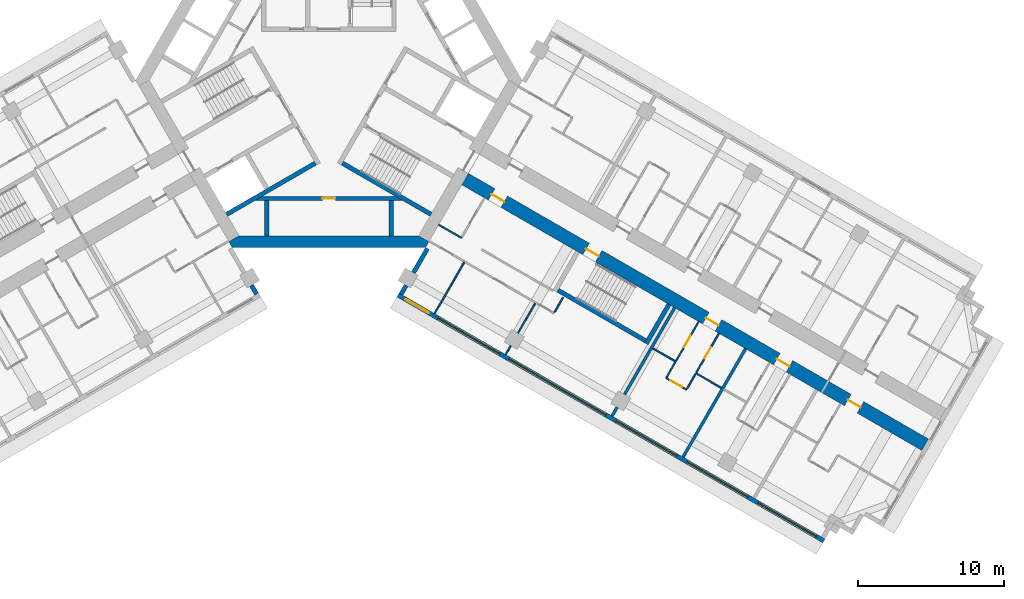
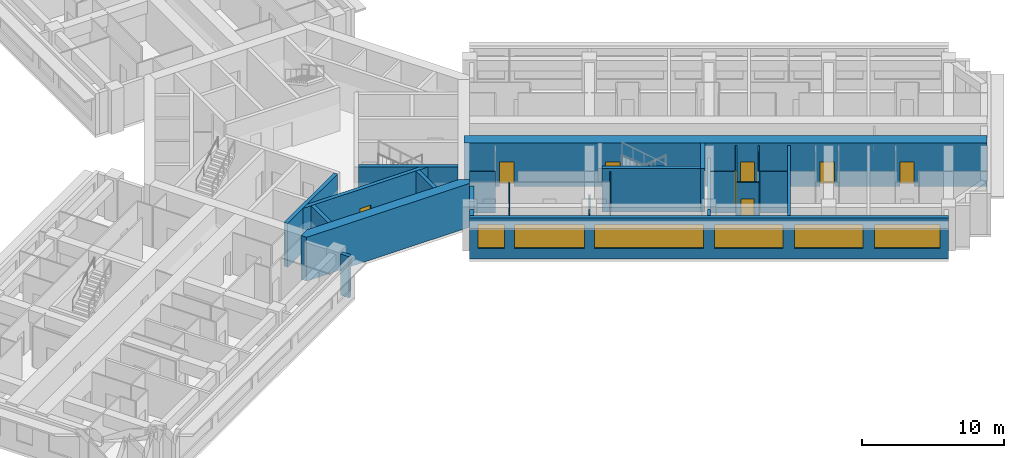
# One storey, part 5 of 13: 28 walls, 9 doors, 6 windows, 15 openings.
"""IFC4 building model written with IfcOpenShell, lengths in metres."""

from ifc_helpers import new_model, si_unit, direction, frame, frame_2d, origin, place, context, subcontext, project, spatial, polyline, rectangle, outline, extrude, material, layer, layer_set, type_object, element, fill, save


model = new_model("IFC4")

# Units and contexts
model_context = context("Model", 3, precision=1e-05, world=origin(), true_north=direction((0.0, 1.0)))
body_context = subcontext(model_context, "Body", "Model", "MODEL_VIEW")
ifc_project = project(units=[si_unit("LENGTHUNIT", "METRE"), si_unit("AREAUNIT", "SQUARE_METRE"), si_unit("VOLUMEUNIT", "CUBIC_METRE"), si_unit("PLANEANGLEUNIT", "RADIAN"), si_unit("MASSUNIT", "GRAM", prefix="KILO")], contexts=[model_context])

# Site, building, storey
site_placement = place(None, origin())
site = spatial("IfcSite", under=ifc_project, at=site_placement, CompositionType="ELEMENT")
building_placement = place(site_placement, origin())
building = spatial("IfcBuilding", under=site, at=building_placement, Name="Impinga Residences", CompositionType="ELEMENT")
storey_placement = place(building_placement, frame((0.0, 0.0, 139.75)))
storey = spatial("IfcBuildingStorey", under=building, at=storey_placement, Name="L34", CompositionType="ELEMENT", Elevation=139.75)

# Wall, openings, doors
ifc_material_1 = material(Name="Concrete C60/75", Category="concrete")
ifc_layer_1 = layer(ifc_material_1, 0.89990234375)
ifc_layer_set_1 = layer_set([ifc_layer_1], Name="Concrete C60/75")
wall_type_1 = type_object("IfcWallType", Name="BW2 corridor buttress wall, L24 to L44 900", PredefinedType="SHEAR", material=ifc_layer_set_1)
wall_1_placement = place(storey_placement, frame((8.95361328125, -6.554931640625, 0.0), z_axis=(0.0, 0.0, 1.0), x_axis=(0.866024733898, -0.500001160275, 0.0)))
wall_1 = element("IfcWall", 1, at=wall_1_placement, inside=storey, type_object=wall_type_1, Name="Corridor wall BW2 ED L34", PredefinedType="SHEAR", context=body_context, shape_type="SweptSolid", body=[
    extrude(rectangle(XDim=36.7001953125, YDim=0.89990234375, at=frame_2d((18.35009765625, 0.0))), origin(), (0.0, 0.0, 1.0), 3.75),
])
opening_1_placement = place(wall_1_placement, frame((9.949951171875, 0.0, 0.0)))
opening_1 = element("IfcOpeningElement", 2, at=opening_1_placement, cuts=wall_1, Name="Opening D5", PredefinedType="OPENING", context=body_context, shape_type="SweptSolid", body=[
    extrude(rectangle(XDim=1.0, YDim=2.10009765625, at=frame_2d((0.5, 1.050048828125))), frame((0.0, 0.4599609375, 0.0), z_axis=(0.0, -1.0, 0.0), x_axis=(1.0, 0.0, 0.0)), (0.0, 0.0, 1.0), 0.919921875),
])
opening_2_placement = place(wall_1_placement, frame((2.5, 0.0, 0.0)))
opening_2 = element("IfcOpeningElement", 3, at=opening_2_placement, cuts=wall_1, Name="Opening D1", PredefinedType="OPENING", context=body_context, shape_type="SweptSolid", body=[
    extrude(rectangle(XDim=1.0, YDim=2.10009765625, at=frame_2d((0.5, 1.050048828125))), frame((0.0, 0.4599609375, 0.0), z_axis=(0.0, -1.0, 0.0), x_axis=(1.0, 0.0, 0.0)), (0.0, 0.0, 1.0), 0.919921875),
])
opening_3_placement = place(wall_1_placement, frame((19.39990234375, 0.0, 0.0)))
opening_3 = element("IfcOpeningElement", 4, at=opening_3_placement, cuts=wall_1, Name="Opening D1", PredefinedType="OPENING", context=body_context, shape_type="SweptSolid", body=[
    extrude(rectangle(XDim=1.0, YDim=2.10009765625, at=frame_2d((0.5, 1.050048828125))), frame((0.0, 0.4599609375, 0.0), z_axis=(0.0, -1.0, 0.0), x_axis=(1.0, 0.0, 0.0)), (0.0, 0.0, 1.0), 0.919921875),
])
opening_4_placement = place(wall_1_placement, frame((25.0, 0.0, 0.0)))
opening_4 = element("IfcOpeningElement", 5, at=opening_4_placement, cuts=wall_1, Name="Opening D1", PredefinedType="OPENING", context=body_context, shape_type="SweptSolid", body=[
    extrude(rectangle(XDim=1.0, YDim=2.10009765625, at=frame_2d((0.5, 1.050048828125))), frame((0.0, 0.4599609375, 0.0), z_axis=(0.0, -1.0, 0.0), x_axis=(1.0, 0.0, 0.0)), (0.0, 0.0, 1.0), 0.919921875),
])
opening_5_placement = place(wall_1_placement, frame((30.60009765625, 0.0, 0.0)))
opening_5 = element("IfcOpeningElement", 6, at=opening_5_placement, cuts=wall_1, Name="Opening D1", PredefinedType="OPENING", context=body_context, shape_type="SweptSolid", body=[
    extrude(rectangle(XDim=1.0, YDim=2.10009765625, at=frame_2d((0.5, 1.050048828125))), frame((0.0, 0.4599609375, 0.0), z_axis=(0.0, -1.0, 0.0), x_axis=(1.0, 0.0, 0.0)), (0.0, 0.0, 1.0), 0.919921875),
])
ifc_material_2 = material(Name="Timber door set", Category="wood")
door_type_1 = type_object("IfcDoorType", Name="D1 apartment entrance door 1000x2100", OperationType="SINGLE_SWING_LEFT", PredefinedType="DOOR", material=ifc_material_2)
door_1_placement = place(opening_2_placement, origin())
door_1 = element("IfcDoor", 7, at=door_1_placement, inside=storey, type_object=door_type_1, Name="Apartment L34-EF1 entrance", OperationType="SINGLE_SWING_LEFT", OverallHeight=2.10009765625, OverallWidth=1.0, PredefinedType="DOOR", context=body_context, shape_type="SweptSolid", body=[
    extrude(rectangle(XDim=1.0, YDim=2.10009765625, at=frame_2d((0.5, 1.050048828125))), frame((0.0, 0.02490234375, 0.0), z_axis=(0.0, -1.0, 0.0), x_axis=(1.0, 0.0, 0.0)), (0.0, 0.0, 1.0), 0.050048828125),
])
fill(opening_2, door_1)
door_2_placement = place(opening_3_placement, origin())
door_2 = element("IfcDoor", 8, at=door_2_placement, inside=storey, type_object=door_type_1, Name="Apartment L34-EF2 entrance", OperationType="SINGLE_SWING_RIGHT", OverallHeight=2.10009765625, OverallWidth=1.0, PredefinedType="DOOR", context=body_context, shape_type="SweptSolid", body=[
    extrude(rectangle(XDim=1.0, YDim=2.10009765625, at=frame_2d((0.5, 1.050048828125))), frame((0.0, 0.02490234375, 0.0), z_axis=(0.0, -1.0, 0.0), x_axis=(1.0, 0.0, 0.0)), (0.0, 0.0, 1.0), 0.050048828125),
])
fill(opening_3, door_2)
door_3_placement = place(opening_4_placement, origin())
door_3 = element("IfcDoor", 9, at=door_3_placement, inside=storey, type_object=door_type_1, Name="Apartment L34-EF3 entrance", OperationType="SINGLE_SWING_RIGHT", OverallHeight=2.10009765625, OverallWidth=1.0, PredefinedType="DOOR", context=body_context, shape_type="SweptSolid", body=[
    extrude(rectangle(XDim=1.0, YDim=2.10009765625, at=frame_2d((0.5, 1.050048828125))), frame((0.0, 0.02490234375, 0.0), z_axis=(0.0, -1.0, 0.0), x_axis=(1.0, 0.0, 0.0)), (0.0, 0.0, 1.0), 0.050048828125),
])
fill(opening_4, door_3)
door_4_placement = place(opening_5_placement, origin())
door_4 = element("IfcDoor", 10, at=door_4_placement, inside=storey, type_object=door_type_1, Name="Apartment L34-EF4 entrance", OperationType="SINGLE_SWING_RIGHT", OverallHeight=2.10009765625, OverallWidth=1.0, PredefinedType="DOOR", context=body_context, shape_type="SweptSolid", body=[
    extrude(rectangle(XDim=1.0, YDim=2.10009765625, at=frame_2d((0.5, 1.050048828125))), frame((0.0, 0.02490234375, 0.0), z_axis=(0.0, -1.0, 0.0), x_axis=(1.0, 0.0, 0.0)), (0.0, 0.0, 1.0), 0.050048828125),
])
fill(opening_5, door_4)
door_type_2 = type_object("IfcDoorType", Name="D5 stair door 1000x2100", OperationType="SINGLE_SWING_LEFT", PredefinedType="DOOR", material=ifc_material_2)
door_5_placement = place(opening_1_placement, origin())
door_5 = element("IfcDoor", 11, at=door_5_placement, inside=storey, type_object=door_type_2, Name="Wing stair door E", OperationType="SINGLE_SWING_LEFT", OverallHeight=2.10009765625, OverallWidth=1.0, PredefinedType="DOOR", context=body_context, shape_type="SweptSolid", body=[
    extrude(rectangle(XDim=1.0, YDim=2.10009765625, at=frame_2d((0.5, 1.050048828125))), frame((0.0, 0.02490234375, 0.0), z_axis=(0.0, -1.0, 0.0), x_axis=(1.0, 0.0, 0.0)), (0.0, 0.0, 1.0), 0.050048828125),
])
fill(opening_1, door_5)

# Wall, openings, windows
ifc_material_3 = material(Name="Terracotta rainscreen on blockwork", Category="masonry")
ifc_layer_2 = layer(ifc_material_3, 0.300048828125)
ifc_layer_set_2 = layer_set([ifc_layer_2], Name="EW1 external wall, terracotta rainscreen on blockwork 300")
wall_type_2 = type_object("IfcWallType", Name="EW1 external wall, terracotta rainscreen on blockwork 300", PredefinedType="SOLIDWALL", material=ifc_layer_set_2)
wall_2_placement = place(storey_placement, frame((33.823486328125, -31.479248046875, 0.0), z_axis=(0.0, 0.0, 1.0), x_axis=(-0.866024291668, 0.500001926238, 0.0)))
wall_2 = element("IfcWall", 12, at=wall_2_placement, inside=storey, type_object=wall_type_2, Name="External wall EW1 L34", PredefinedType="SOLIDWALL", context=body_context, shape_type="SweptSolid", body=[
    extrude(rectangle(XDim=33.599853515625, YDim=0.300048828125, at=frame_2d((16.7998046875, 0.0))), origin(), (0.0, 0.0, 1.0), 3.530029296875),
])
opening_6_placement = place(wall_2_placement, frame((0.60009765625, 0.0, 0.89990234375)))
opening_6 = element("IfcOpeningElement", 13, at=opening_6_placement, cuts=wall_2, Name="Opening W3", PredefinedType="OPENING", context=body_context, shape_type="SweptSolid", body=[
    extrude(rectangle(XDim=4.60009765625, YDim=2.050048828125, at=frame_2d((2.300048828125, 1.02490234375))), frame((0.0, 0.159912109375, 0.0), z_axis=(0.0, -1.0, 0.0), x_axis=(1.0, 0.0, 0.0)), (0.0, 0.0, 1.0), 0.320068359375),
])
opening_7_placement = place(wall_2_placement, frame((6.0, 0.0, 0.89990234375)))
opening_7 = element("IfcOpeningElement", 14, at=opening_7_placement, cuts=wall_2, Name="Opening W8", PredefinedType="OPENING", context=body_context, shape_type="SweptSolid", body=[
    extrude(rectangle(XDim=4.800048828125, YDim=2.050048828125, at=frame_2d((2.39990234375, 1.02490234375))), frame((0.0, 0.159912109375, 0.0), z_axis=(0.0, -1.0, 0.0), x_axis=(1.0, 0.0, 0.0)), (0.0, 0.0, 1.0), 0.320068359375),
])
opening_8_placement = place(wall_2_placement, frame((11.60009765625, 0.0, 0.89990234375)))
opening_8 = element("IfcOpeningElement", 15, at=opening_8_placement, cuts=wall_2, Name="Opening W8", PredefinedType="OPENING", context=body_context, shape_type="SweptSolid", body=[
    extrude(rectangle(XDim=4.800048828125, YDim=2.050048828125, at=frame_2d((2.39990234375, 1.02490234375))), frame((0.0, 0.159912109375, 0.0), z_axis=(0.0, -1.0, 0.0), x_axis=(1.0, 0.0, 0.0)), (0.0, 0.0, 1.0), 0.320068359375),
])
opening_9_placement = place(wall_2_placement, frame((17.199951171875, 0.0, 0.89990234375)))
opening_9 = element("IfcOpeningElement", 16, at=opening_9_placement, cuts=wall_2, Name="Opening W13", PredefinedType="OPENING", context=body_context, shape_type="SweptSolid", body=[
    extrude(rectangle(XDim=7.64990234375, YDim=2.050048828125, at=frame_2d((3.824951171875, 1.02490234375))), frame((0.0, 0.159912109375, 0.0), z_axis=(0.0, -1.0, 0.0), x_axis=(1.0, 0.0, 0.0)), (0.0, 0.0, 1.0), 0.320068359375),
])
opening_10_placement = place(wall_2_placement, frame((25.550048828125, 0.0, 0.89990234375)))
opening_10 = element("IfcOpeningElement", 17, at=opening_10_placement, cuts=wall_2, Name="Opening W16", PredefinedType="OPENING", context=body_context, shape_type="SweptSolid", body=[
    extrude(rectangle(XDim=4.89990234375, YDim=2.050048828125, at=frame_2d((2.449951171875, 1.02490234375))), frame((0.0, 0.159912109375, 0.0), z_axis=(0.0, -1.0, 0.0), x_axis=(1.0, 0.0, 0.0)), (0.0, 0.0, 1.0), 0.320068359375),
])
opening_11_placement = place(wall_2_placement, frame((31.14990234375, 0.0, 0.89990234375)))
opening_11 = element("IfcOpeningElement", 18, at=opening_11_placement, cuts=wall_2, Name="Opening W15", PredefinedType="OPENING", context=body_context, shape_type="SweptSolid", body=[
    extrude(rectangle(XDim=1.85009765625, YDim=2.050048828125, at=frame_2d((0.925048828125, 1.02490234375))), frame((0.0, 0.159912109375, 0.0), z_axis=(0.0, -1.0, 0.0), x_axis=(1.0, 0.0, 0.0)), (0.0, 0.0, 1.0), 0.320068359375),
])
ifc_material_4 = material(Name="Aluminium window, clear double glazing", Category="aluminium")
window_type_1 = type_object("IfcWindowType", Name="W13 ribbon window 7650x2050", PartitioningType="SINGLE_PANEL", PredefinedType="WINDOW", material=ifc_material_4)
window_1_placement = place(opening_9_placement, origin())
window_1 = element("IfcWindow", 19, at=window_1_placement, inside=storey, type_object=window_type_1, Name="Window L34", OverallHeight=2.050048828125, OverallWidth=7.64990234375, PartitioningType="SINGLE_PANEL", PredefinedType="WINDOW", context=body_context, shape_type="SweptSolid", body=[
    extrude(rectangle(XDim=7.64990234375, YDim=2.050048828125, at=frame_2d((3.824951171875, 1.02490234375))), frame((0.0, 0.030029296875, 0.0), z_axis=(0.0, -1.0, 0.0), x_axis=(1.0, 0.0, 0.0)), (0.0, 0.0, 1.0), 0.06005859375),
])
fill(opening_9, window_1)
window_type_2 = type_object("IfcWindowType", Name="W15 ribbon window 1850x2050", PartitioningType="SINGLE_PANEL", PredefinedType="WINDOW", material=ifc_material_4)
window_2_placement = place(opening_11_placement, origin())
window_2 = element("IfcWindow", 20, at=window_2_placement, inside=storey, type_object=window_type_2, Name="Window L34", OverallHeight=2.050048828125, OverallWidth=1.85009765625, PartitioningType="SINGLE_PANEL", PredefinedType="WINDOW", context=body_context, shape_type="SweptSolid", body=[
    extrude(rectangle(XDim=1.85009765625, YDim=2.050048828125, at=frame_2d((0.925048828125, 1.02490234375))), frame((0.0, 0.030029296875, 0.0), z_axis=(0.0, -1.0, 0.0), x_axis=(1.0, 0.0, 0.0)), (0.0, 0.0, 1.0), 0.06005859375),
])
fill(opening_11, window_2)
window_type_3 = type_object("IfcWindowType", Name="W16 ribbon window 4900x2050", PartitioningType="SINGLE_PANEL", PredefinedType="WINDOW", material=ifc_material_4)
window_3_placement = place(opening_10_placement, origin())
window_3 = element("IfcWindow", 21, at=window_3_placement, inside=storey, type_object=window_type_3, Name="Window L34", OverallHeight=2.050048828125, OverallWidth=4.89990234375, PartitioningType="SINGLE_PANEL", PredefinedType="WINDOW", context=body_context, shape_type="SweptSolid", body=[
    extrude(rectangle(XDim=4.89990234375, YDim=2.050048828125, at=frame_2d((2.449951171875, 1.02490234375))), frame((0.0, 0.030029296875, 0.0), z_axis=(0.0, -1.0, 0.0), x_axis=(1.0, 0.0, 0.0)), (0.0, 0.0, 1.0), 0.06005859375),
])
fill(opening_10, window_3)
window_type_4 = type_object("IfcWindowType", Name="W3 ribbon window 4600x2050", PartitioningType="SINGLE_PANEL", PredefinedType="WINDOW", material=ifc_material_4)
window_4_placement = place(opening_6_placement, origin())
window_4 = element("IfcWindow", 22, at=window_4_placement, inside=storey, type_object=window_type_4, Name="Window L34", OverallHeight=2.050048828125, OverallWidth=4.60009765625, PartitioningType="SINGLE_PANEL", PredefinedType="WINDOW", context=body_context, shape_type="SweptSolid", body=[
    extrude(rectangle(XDim=4.60009765625, YDim=2.050048828125, at=frame_2d((2.300048828125, 1.02490234375))), frame((0.0, 0.030029296875, 0.0), z_axis=(0.0, -1.0, 0.0), x_axis=(1.0, 0.0, 0.0)), (0.0, 0.0, 1.0), 0.06005859375),
])
fill(opening_6, window_4)
window_type_5 = type_object("IfcWindowType", Name="W8 ribbon window 4800x2050", PartitioningType="SINGLE_PANEL", PredefinedType="WINDOW", material=ifc_material_4)
window_5_placement = place(opening_7_placement, origin())
window_5 = element("IfcWindow", 23, at=window_5_placement, inside=storey, type_object=window_type_5, Name="Window L34", OverallHeight=2.050048828125, OverallWidth=4.800048828125, PartitioningType="SINGLE_PANEL", PredefinedType="WINDOW", context=body_context, shape_type="SweptSolid", body=[
    extrude(rectangle(XDim=4.800048828125, YDim=2.050048828125, at=frame_2d((2.39990234375, 1.02490234375))), frame((0.0, 0.030029296875, 0.0), z_axis=(0.0, -1.0, 0.0), x_axis=(1.0, 0.0, 0.0)), (0.0, 0.0, 1.0), 0.06005859375),
])
fill(opening_7, window_5)
window_6_placement = place(opening_8_placement, origin())
window_6 = element("IfcWindow", 24, at=window_6_placement, inside=storey, type_object=window_type_5, Name="Window L34", OverallHeight=2.050048828125, OverallWidth=4.800048828125, PartitioningType="SINGLE_PANEL", PredefinedType="WINDOW", context=body_context, shape_type="SweptSolid", body=[
    extrude(rectangle(XDim=4.800048828125, YDim=2.050048828125, at=frame_2d((2.39990234375, 1.02490234375))), frame((0.0, 0.030029296875, 0.0), z_axis=(0.0, -1.0, 0.0), x_axis=(1.0, 0.0, 0.0)), (0.0, 0.0, 1.0), 0.06005859375),
])
fill(opening_8, window_6)

# Walls
wall_3_placement = place(storey_placement, frame((4.929931640625, -14.624267578125, 0.0), z_axis=(0.0, 0.0, 1.0), x_axis=(0.499853302173, 0.866110083249, 0.0)))
element("IfcWall", 25, at=wall_3_placement, inside=storey, type_object=wall_type_2, Name="External wall EW1 L34", PredefinedType="SOLIDWALL", context=body_context, shape_type="SweptSolid", body=[
    extrude(rectangle(XDim=0.699951171875, YDim=0.300048828125, at=frame_2d((0.35009765625, 0.0))), origin(), (0.0, 0.0, 1.0), 3.530029296875),
])
wall_4_placement = place(storey_placement, frame((5.77978515625, -13.152099609375, 0.0), z_axis=(0.0, 0.0, 1.0), x_axis=(0.500063520245, 0.865988727248, 0.0)))
element("IfcWall", 26, at=wall_4_placement, inside=storey, type_object=wall_type_2, Name="External wall EW1 L34", PredefinedType="SOLIDWALL", context=body_context, shape_type="SweptSolid", body=[
    extrude(rectangle(XDim=1.900146484375, YDim=0.300048828125, at=frame_2d((0.9501953125, 0.0))), origin(), (0.0, 0.0, 1.0), 3.530029296875),
])
wall_5_placement = place(storey_placement, frame((-5.27978515625, -14.01806640625, 0.0), z_axis=(0.0, 0.0, 1.0), x_axis=(0.499853302173, -0.866110083249, 0.0)))
element("IfcWall", 27, at=wall_5_placement, inside=storey, type_object=wall_type_2, Name="External wall EW1 L34", PredefinedType="SOLIDWALL", context=body_context, shape_type="SweptSolid", body=[
    extrude(rectangle(XDim=0.699951171875, YDim=0.300048828125, at=frame_2d((0.35009765625, 0.0))), origin(), (0.0, 0.0, 1.0), 3.530029296875),
])
ifc_material_5 = material(Name="Gypsum board on steel studs", Category="steel")
ifc_layer_3 = layer(ifc_material_5, 0.10009765625)
ifc_layer_set_3 = layer_set([ifc_layer_3], Name="Gypsum board on steel studs")
wall_type_3 = type_object("IfcWallType", Name="IP1 partition 100", PredefinedType="PARTITIONING", material=ifc_layer_set_3)
wall_6_placement = place(storey_placement, frame((7.5, -9.872802734375, 0.0), z_axis=(0.0, 0.0, 1.0), x_axis=(0.866047807691, -0.499961193289, 0.0)))
element("IfcWall", 28, at=wall_6_placement, inside=storey, type_object=wall_type_3, Name="Partition L34-EF1:DIV0", PredefinedType="PARTITIONING", context=body_context, shape_type="SweptSolid", body=[
    extrude(rectangle(XDim=1.800048828125, YDim=0.10009765625, at=frame_2d((0.89990234375, 0.0))), origin(), (0.0, 0.0, 1.0), 3.530029296875),
])
wall_7_placement = place(storey_placement, frame((16.00537109375, -14.841064453125, 0.0), z_axis=(0.0, 0.0, 1.0), x_axis=(-0.50012165622, -0.865955154139, 0.0)))
element("IfcWall", 29, at=wall_7_placement, inside=storey, type_object=wall_type_3, Name="Partition L34-EF1:SE1", PredefinedType="PARTITIONING", context=body_context, shape_type="SweptSolid", body=[
    extrude(rectangle(XDim=1.199951171875, YDim=0.10009765625, at=frame_2d((0.60009765625, 0.0))), origin(), (0.0, 0.0, 1.0), 3.530029296875),
])
wall_8_placement = place(storey_placement, frame((9.249755859375, -12.44189453125, 0.0), z_axis=(0.0, 0.0, 1.0), x_axis=(-0.499990325971, -0.866030989016, 0.0)))
element("IfcWall", 30, at=wall_8_placement, inside=storey, type_object=wall_type_3, Name="Partition L34-EF1:OB1", PredefinedType="PARTITIONING", context=body_context, shape_type="SweptSolid", body=[
    extrude(rectangle(XDim=4.0498046875, YDim=0.10009765625, at=frame_2d((2.02490234375, 0.0))), origin(), (0.0, 0.0, 1.0), 3.530029296875),
])
wall_9_placement = place(storey_placement, frame((14.099609375, -15.241943359375, 0.0), z_axis=(0.0, 0.0, 1.0), x_axis=(-0.500016218704, -0.866016039709, 0.0)))
element("IfcWall", 31, at=wall_9_placement, inside=storey, type_object=wall_type_3, Name="Partition L34-EF1:OB2", PredefinedType="PARTITIONING", context=body_context, shape_type="SweptSolid", body=[
    extrude(rectangle(XDim=2.35009765625, YDim=0.10009765625, at=frame_2d((1.175048828125, 0.0))), origin(), (0.0, 0.0, 1.0), 2.47998046875),
])
wall_10_placement = place(storey_placement, frame((12.424560546875, -18.14306640625, 0.0), z_axis=(0.0, 0.0, 1.0), x_axis=(-0.499853302173, -0.866110083249, 0.0)))
element("IfcWall", 32, at=wall_10_placement, inside=storey, type_object=wall_type_3, Name="Partition L34-EF1:OB2b", PredefinedType="PARTITIONING", context=body_context, shape_type="SweptSolid", body=[
    extrude(rectangle(XDim=0.699951171875, YDim=0.10009765625, at=frame_2d((0.35009765625, 0.0))), origin(), (0.0, 0.0, 1.0), 3.530029296875),
])
wall_11_placement = place(storey_placement, frame((22.1357421875, -18.32275390625, 0.0), z_axis=(0.0, 0.0, 1.0), x_axis=(0.866047807691, -0.499961193289, 0.0)))
element("IfcWall", 33, at=wall_11_placement, inside=storey, type_object=wall_type_3, Name="Partition L34-EF2:DIV0", PredefinedType="PARTITIONING", context=body_context, shape_type="SweptSolid", body=[
    extrude(rectangle(XDim=1.800048828125, YDim=0.10009765625, at=frame_2d((0.89990234375, 0.0))), origin(), (0.0, 0.0, 1.0), 3.530029296875),
])
wall_12_placement = place(storey_placement, frame((25.080322265625, -20.022705078125, 0.0), z_axis=(0.0, 0.0, 1.0), x_axis=(0.866010750942, -0.50002537861, 0.0)))
element("IfcWall", 34, at=wall_12_placement, inside=storey, type_object=wall_type_3, Name="Partition L34-EF2:DIV1", PredefinedType="PARTITIONING", context=body_context, shape_type="SweptSolid", body=[
    extrude(rectangle(XDim=2.0, YDim=0.10009765625, at=frame_2d((1.0, 0.0))), origin(), (0.0, 0.0, 1.0), 3.530029296875),
])

# Wall, opening, door
wall_13_placement = place(storey_placement, frame((23.044677734375, -20.3486328125, 0.0), z_axis=(0.0, 0.0, 1.0), x_axis=(0.866094119867, -0.499880961361, 0.0)))
wall_13 = element("IfcWall", 35, at=wall_13_placement, inside=storey, type_object=wall_type_3, Name="Partition L34-EF2:STRIP", PredefinedType="PARTITIONING", context=body_context, shape_type="SweptSolid", body=[
    extrude(rectangle(XDim=1.60009765625, YDim=0.10009765625, at=frame_2d((0.800048828125, 0.0))), origin(), (0.0, 0.0, 1.0), 3.530029296875),
])
opening_12_placement = place(wall_13_placement, frame((0.35009765625, 0.0, 0.0)))
opening_12 = element("IfcOpeningElement", 36, at=opening_12_placement, cuts=wall_13, Name="Opening D2", PredefinedType="OPENING", context=body_context, shape_type="SweptSolid", body=[
    extrude(rectangle(XDim=0.89990234375, YDim=2.10009765625, at=frame_2d((0.449951171875, 1.050048828125))), frame((0.0, 0.06005859375, 0.0), z_axis=(0.0, -1.0, 0.0), x_axis=(1.0, 0.0, 0.0)), (0.0, 0.0, 1.0), 0.1201171875),
])
door_type_3 = type_object("IfcDoorType", Name="D2 internal door 900x2100", OperationType="SINGLE_SWING_LEFT", PredefinedType="DOOR", material=ifc_material_2)
door_6_placement = place(opening_12_placement, origin())
door_6 = element("IfcDoor", 37, at=door_6_placement, inside=storey, type_object=door_type_3, Name="Apartment L34-EF2 room door", OperationType="SINGLE_SWING_LEFT", OverallHeight=2.10009765625, OverallWidth=0.89990234375, PredefinedType="DOOR", context=body_context, shape_type="SweptSolid", body=[
    extrude(rectangle(XDim=0.89990234375, YDim=2.10009765625, at=frame_2d((0.449951171875, 1.050048828125))), frame((0.0, 0.02490234375, 0.0), z_axis=(0.0, -1.0, 0.0), x_axis=(1.0, 0.0, 0.0)), (0.0, 0.0, 1.0), 0.050048828125),
])
fill(opening_12, door_6)

# Walls
for number, where, z_axis, x_axis, name in (
    (38, (23.669677734375, -19.265869140625, 0.0), (0.0, 0.0, 1.0), (-0.500033551112, -0.866006032174, 0.0), "Partition L34-EF2:SE0"),
    (39, (25.055419921875, -20.06591796875, 0.0), (0.0, 0.0, 1.0), (-0.500033551112, -0.866006032174, 0.0), "Partition L34-EF2:SE1"),
):
    element("IfcWall", number, at=place(storey_placement, frame(where, z_axis=z_axis, x_axis=x_axis)), inside=storey, type_object=wall_type_3, Name=name, PredefinedType="PARTITIONING", context=body_context, shape_type="SweptSolid", body=[
        extrude(rectangle(XDim=1.2001953125, YDim=0.10009765625, at=frame_2d((0.60009765625, 0.0))), origin(), (0.0, 0.0, 1.0), 3.530029296875),
    ])

# Wall, opening, door
wall_14_placement = place(storey_placement, frame((25.269775390625, -16.49462890625, 0.0), z_axis=(0.0, 0.0, 1.0), x_axis=(-0.49999285859, -0.86602952684, 0.0)))
wall_14 = element("IfcWall", 40, at=wall_14_placement, inside=storey, type_object=wall_type_3, Name="Partition L34-EF2:IB1", PredefinedType="PARTITIONING", context=body_context, shape_type="SweptSolid", body=[
    extrude(rectangle(XDim=3.10009765625, YDim=0.10009765625, at=frame_2d((1.550048828125, 0.0))), origin(), (0.0, 0.0, 1.0), 3.530029296875),
])
opening_13_placement = place(wall_14_placement, frame((1.10009765625, 0.0, 0.0)))
opening_13 = element("IfcOpeningElement", 41, at=opening_13_placement, cuts=wall_14, Name="Opening D2", PredefinedType="OPENING", context=body_context, shape_type="SweptSolid", body=[
    extrude(rectangle(XDim=0.89990234375, YDim=2.10009765625, at=frame_2d((0.449951171875, 1.050048828125))), frame((0.0, 0.06005859375, 0.0), z_axis=(0.0, -1.0, 0.0), x_axis=(1.0, 0.0, 0.0)), (0.0, 0.0, 1.0), 0.1201171875),
])
door_7_placement = place(opening_13_placement, origin())
door_7 = element("IfcDoor", 42, at=door_7_placement, inside=storey, type_object=door_type_3, Name="Apartment L34-EF2 bathroom door", OperationType="SINGLE_SWING_LEFT", OverallHeight=2.10009765625, OverallWidth=0.89990234375, PredefinedType="DOOR", context=body_context, shape_type="SweptSolid", body=[
    extrude(rectangle(XDim=0.89990234375, YDim=2.10009765625, at=frame_2d((0.449951171875, 1.050048828125))), frame((0.0, 0.02490234375, 0.0), z_axis=(0.0, -1.0, 0.0), x_axis=(1.0, 0.0, 0.0)), (0.0, 0.0, 1.0), 0.050048828125),
])
fill(opening_13, door_7)

wall_15_placement = place(storey_placement, frame((26.6552734375, -17.294677734375, 0.0), z_axis=(0.0, 0.0, 1.0), x_axis=(-0.49999285859, -0.86602952684, 0.0)))
wall_15 = element("IfcWall", 43, at=wall_15_placement, inside=storey, type_object=wall_type_3, Name="Partition L34-EF2:IB2", PredefinedType="PARTITIONING", context=body_context, shape_type="SweptSolid", body=[
    extrude(rectangle(XDim=3.10009765625, YDim=0.10009765625, at=frame_2d((1.550048828125, 0.0))), origin(), (0.0, 0.0, 1.0), 3.530029296875),
])
opening_14_placement = place(wall_15_placement, frame((1.10009765625, 0.0, 0.0)))
opening_14 = element("IfcOpeningElement", 44, at=opening_14_placement, cuts=wall_15, Name="Opening D2", PredefinedType="OPENING", context=body_context, shape_type="SweptSolid", body=[
    extrude(rectangle(XDim=0.89990234375, YDim=2.10009765625, at=frame_2d((0.449951171875, 1.050048828125))), frame((0.0, 0.06005859375, 0.0), z_axis=(0.0, -1.0, 0.0), x_axis=(1.0, 0.0, 0.0)), (0.0, 0.0, 1.0), 0.1201171875),
])
door_8_placement = place(opening_14_placement, origin())
door_8 = element("IfcDoor", 45, at=door_8_placement, inside=storey, type_object=door_type_3, Name="Apartment L34-EF2 WC door", OperationType="SINGLE_SWING_LEFT", OverallHeight=2.10009765625, OverallWidth=0.89990234375, PredefinedType="DOOR", context=body_context, shape_type="SweptSolid", body=[
    extrude(rectangle(XDim=0.89990234375, YDim=2.10009765625, at=frame_2d((0.449951171875, 1.050048828125))), frame((0.0, 0.02490234375, 0.0), z_axis=(0.0, -1.0, 0.0), x_axis=(1.0, 0.0, 0.0)), (0.0, 0.0, 1.0), 0.050048828125),
])
fill(opening_14, door_8)

# Walls
ifc_material_6 = material(Name="Concrete blockwork", Category="masonry")
ifc_layer_4 = layer(ifc_material_6, 0.199951171875)
ifc_layer_set_4 = layer_set([ifc_layer_4], Name="PW1 party wall between apartments 200")
wall_type_4 = type_object("IfcWallType", Name="PW1 party wall between apartments 200", PredefinedType="SOLIDWALL", material=ifc_layer_set_4)
wall_16_placement = place(storey_placement, frame((23.624267578125, -15.544677734375, 0.0), z_axis=(0.0, 0.0, 1.0), x_axis=(-0.499999086063, -0.866025931445, 0.0)))
element("IfcWall", 46, at=wall_16_placement, inside=storey, type_object=wall_type_4, Name="Party wall between apartments L34-EF1:PARTY", PredefinedType="SOLIDWALL", context=body_context, shape_type="SweptSolid", body=[
    extrude(rectangle(XDim=6.85009765625, YDim=0.199951171875, at=frame_2d((3.425048828125, 0.0))), origin(), (0.0, 0.0, 1.0), 2.47998046875),
])
wall_17_placement = place(storey_placement, frame((19.69921875, -22.343017578125, 0.0), z_axis=(0.0, 0.0, 1.0), x_axis=(-0.500114896893, -0.865959057869, 0.0)))
element("IfcWall", 47, at=wall_17_placement, inside=storey, type_object=wall_type_4, Name="Party wall between apartments L34-EF1:PARTYb", PredefinedType="SOLIDWALL", context=body_context, shape_type="SweptSolid", body=[
    extrude(rectangle(XDim=0.699951171875, YDim=0.199951171875, at=frame_2d((0.35009765625, 0.0))), origin(), (0.0, 0.0, 1.0), 3.530029296875),
])
wall_18_placement = place(storey_placement, frame((28.473876953125, -18.3447265625, 0.0), z_axis=(0.0, 0.0, 1.0), x_axis=(-0.499990227581, -0.86603104582, 0.0)))
element("IfcWall", 48, at=wall_18_placement, inside=storey, type_object=wall_type_4, Name="Party wall between apartments L34-EF2:PARTY", PredefinedType="SOLIDWALL", context=body_context, shape_type="SweptSolid", body=[
    extrude(rectangle(XDim=8.550048828125, YDim=0.199951171875, at=frame_2d((4.27490234375, 0.0))), origin(), (0.0, 0.0, 1.0), 3.530029296875),
])
ifc_layer_5 = layer(ifc_material_1, 0.300048828125)
ifc_layer_set_5 = layer_set([ifc_layer_5], Name="Concrete C60/75")
wall_type_5 = type_object("IfcWallType", Name="SE1 wing stair enclosure wall 300", PredefinedType="SOLIDWALL", material=ifc_layer_set_5)
wall_19_placement = place(storey_placement, frame((23.234619140625, -15.31982421875, 0.0), z_axis=(0.0, 0.0, 1.0), x_axis=(-0.500026960575, -0.86600983753, 0.0)))
element("IfcWall", 49, at=wall_19_placement, inside=storey, type_object=wall_type_5, Name="Stair enclosure wall SE1 E END1 L34", PredefinedType="SOLIDWALL", context=body_context, shape_type="SweptSolid", body=[
    extrude(rectangle(XDim=3.099853515625, YDim=0.300048828125, at=frame_2d((1.5498046875, 0.0))), origin(), (0.0, 0.0, 1.0), 3.75),
])
wall_20_placement = place(storey_placement, frame((15.654052734375, -14.349365234375, 0.0), z_axis=(0.0, 0.0, 1.0), x_axis=(0.866013532718, -0.500020560727, 0.0)))
element("IfcWall", 50, at=wall_20_placement, inside=storey, type_object=wall_type_5, Name="Stair enclosure wall SE1 E OUT L34", PredefinedType="SOLIDWALL", context=body_context, shape_type="SweptSolid", body=[
    extrude(rectangle(XDim=6.900146484375, YDim=0.300048828125, at=frame_2d((3.4501953125, 0.0))), origin(), (0.0, 0.0, 1.0), 3.75),
])
ifc_layer_6 = layer(ifc_material_1, 0.800048828125)
ifc_layer_set_6 = layer_set([ifc_layer_6], Name="Concrete C60/75")
wall_type_6 = type_object("IfcWallType", Name="SW2 core wall 800", PredefinedType="SHEAR", material=ifc_layer_set_6)
wall_21_placement = place(storey_placement, origin())
element("IfcWall", 51, at=wall_21_placement, inside=storey, type_object=wall_type_6, Name="Core wall SW2 N:EXPOSED L34", PredefinedType="SHEAR", context=body_context, shape_type="SweptSolid", body=[
    extrude(outline(polyline([(-6.60009765625, -11.431640625), (6.60009765625, -11.431640625), (6.8310546875, -11.031494140625), (6.13818359375, -10.631591796875), (-6.13818359375, -10.631591796875), (-6.8310546875, -11.031494140625), (-6.60009765625, -11.431640625)])), origin(), (0.0, 0.0, 1.0), 3.75),
])
ifc_material_7 = material(Name="Concrete C70/85", Category="concrete")
ifc_layer_7 = layer(ifc_material_7, 0.300048828125)
ifc_layer_set_7 = layer_set([ifc_layer_7], Name="Concrete C70/85")
wall_type_7 = type_object("IfcWallType", Name="SW5 core inner wall, stairs, shafts and lobbies 300", PredefinedType="SHEAR", material=ifc_layer_set_7)
for number, where, z_axis, x_axis, name in (
    (52, (-0.918701171875, -5.668701171875, 0.0), (0.0, 0.0, 1.0), (-0.866011380966, -0.500024287448, 0.0), "Core wall SW5 W:FF-OUT L34"),
    (53, (0.918701171875, -5.668701171875, 0.0), (0.0, 0.0, 1.0), (0.866011380966, -0.500024287448, 0.0), "Core wall SW5 E:ST-OUT L34"),
):
    element("IfcWall", number, at=place(storey_placement, frame(where, z_axis=z_axis, x_axis=x_axis)), inside=storey, type_object=wall_type_7, Name=name, PredefinedType="SHEAR", context=body_context, shape_type="SweptSolid", body=[
        extrude(rectangle(XDim=7.001708984375, YDim=0.300048828125, at=frame_2d((3.5009765625, 0.0))), origin(), (0.0, 0.0, 1.0), 3.75),
    ])

# Wall, opening, door
wall_22_placement = place(storey_placement, frame((5.09765625, -8.08154296875, 0.0), z_axis=(0.0, 0.0, 1.0), x_axis=(-1.0, 0.0, 0.0)))
wall_22 = element("IfcWall", 54, at=wall_22_placement, inside=storey, type_object=wall_type_7, Name="Core wall SW5 N:BANK-FRONT L34", PredefinedType="SHEAR", context=body_context, shape_type="SweptSolid", body=[
    extrude(rectangle(XDim=10.1953125, YDim=0.300048828125, at=frame_2d((5.09765625, 0.0))), origin(), (0.0, 0.0, 1.0), 3.75),
])
opening_15_placement = place(wall_22_placement, frame((4.647705078125, 0.0, 0.0)))
opening_15 = element("IfcOpeningElement", 55, at=opening_15_placement, cuts=wall_22, Name="Opening D6", PredefinedType="OPENING", context=body_context, shape_type="SweptSolid", body=[
    extrude(rectangle(XDim=0.89990234375, YDim=2.10009765625, at=frame_2d((0.449951171875, 1.050048828125))), frame((0.0, 0.159912109375, 0.0), z_axis=(0.0, -1.0, 0.0), x_axis=(1.0, 0.0, 0.0)), (0.0, 0.0, 1.0), 0.320068359375),
])
door_type_4 = type_object("IfcDoorType", Name="D6 riser and store door 900x2100", OperationType="SINGLE_SWING_LEFT", PredefinedType="DOOR", material=ifc_material_2)
door_9_placement = place(opening_15_placement, origin())
door_9 = element("IfcDoor", 56, at=door_9_placement, inside=storey, type_object=door_type_4, Name="IT and communications room door", OperationType="SINGLE_SWING_LEFT", OverallHeight=2.10009765625, OverallWidth=0.89990234375, PredefinedType="DOOR", context=body_context, shape_type="SweptSolid", body=[
    extrude(rectangle(XDim=0.89990234375, YDim=2.10009765625, at=frame_2d((0.449951171875, 1.050048828125))), frame((0.0, 0.02490234375, 0.0), z_axis=(0.0, -1.0, 0.0), x_axis=(1.0, 0.0, 0.0)), (0.0, 0.0, 1.0), 0.050048828125),
])
fill(opening_15, door_9)

# Walls
for number, where, z_axis, x_axis, name in (
    (57, (4.25, -8.2314453125, 0.0), (0.0, 0.0, 1.0), (0.0, -1.0, 0.0), "Core wall SW5 N:BANK-L L34"),
    (58, (-4.25, -8.2314453125, 0.0), (0.0, 0.0, 1.0), (0.0, -1.0, 0.0), "Core wall SW5 N:BANK-R L34"),
):
    element("IfcWall", number, at=place(storey_placement, frame(where, z_axis=z_axis, x_axis=x_axis)), inside=storey, type_object=wall_type_7, Name=name, PredefinedType="SHEAR", context=body_context, shape_type="SweptSolid", body=[
        extrude(rectangle(XDim=2.400146484375, YDim=0.300048828125, at=frame_2d((1.2001953125, 0.0))), origin(), (0.0, 0.0, 1.0), 3.75),
    ])

save(model, "model.ifc")
